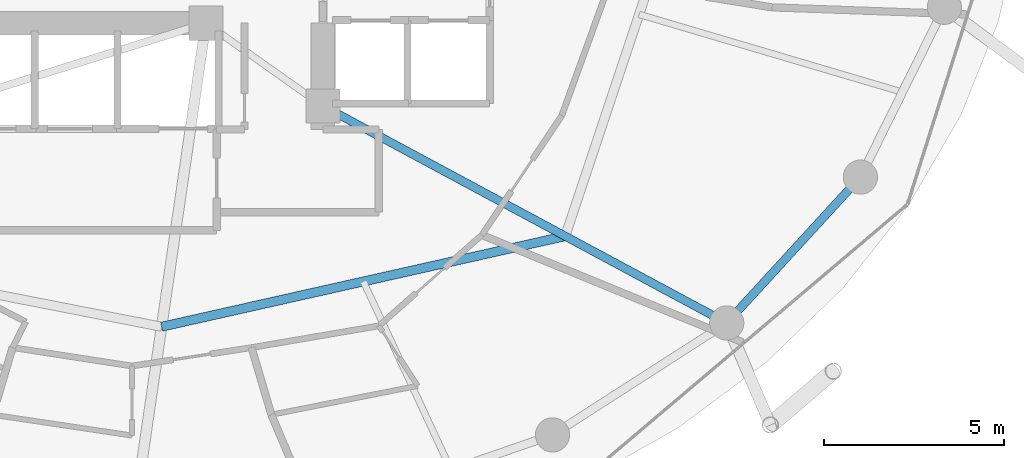
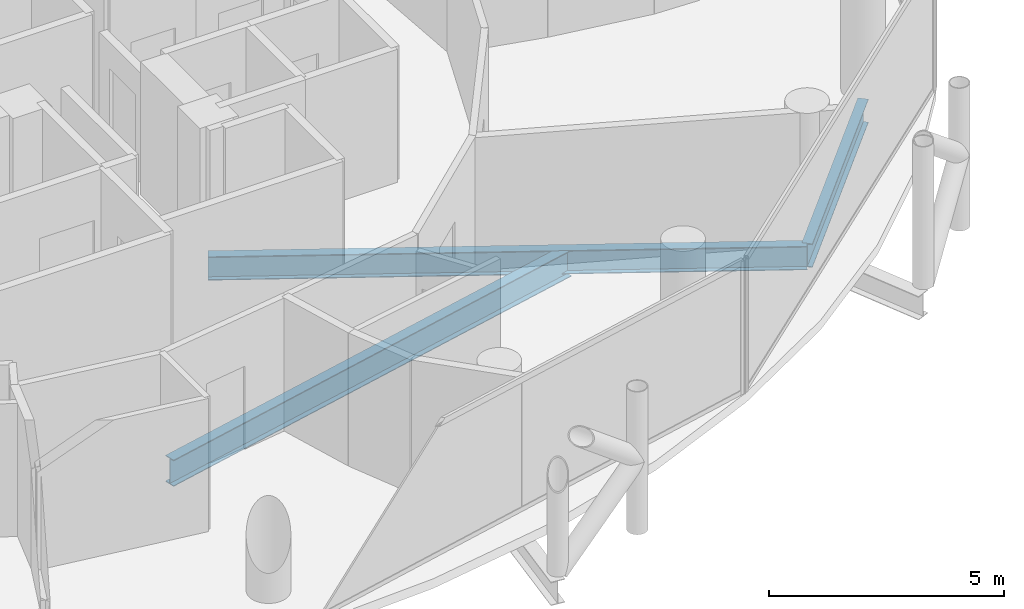
# One storey, part 9 of 26: 3 beams.
"""IFC4 building model written with IfcOpenShell, lengths in metres."""

from ifc_helpers import new_model, si_unit, direction, frame, origin, origin_2d, place, context, subcontext, project, spatial, i_section, extrude, material, material_profile, profile_set, type_object, element, save


model = new_model("IFC4")

# Units and contexts
model_context = context("Model", 3, precision=1e-05, world=origin(), true_north=direction((0.0, 1.0)))
body_context = subcontext(model_context, "Body", "Model", "MODEL_VIEW")
ifc_project = project(units=[si_unit("LENGTHUNIT", "METRE"), si_unit("AREAUNIT", "SQUARE_METRE"), si_unit("VOLUMEUNIT", "CUBIC_METRE"), si_unit("PLANEANGLEUNIT", "RADIAN"), si_unit("MASSUNIT", "GRAM", prefix="KILO")], contexts=[model_context])

# Site, building, storey
site_placement = place(None, origin())
site = spatial("IfcSite", under=ifc_project, at=site_placement, CompositionType="ELEMENT")
building_placement = place(site_placement, origin())
building = spatial("IfcBuilding", under=site, at=building_placement, Name="Nuhasar Tower", CompositionType="ELEMENT")
storey_placement = place(building_placement, frame((0.0, 0.0, 118.25)))
storey = spatial("IfcBuildingStorey", under=building, at=storey_placement, Name="L27", CompositionType="ELEMENT", Elevation=118.25)

# Beams
ifc_material = material(Name="Steel S355", Category="steel")
ifc_material_profile_1 = material_profile(ifc_material, i_section(OverallWidth=0.25390625, OverallDepth=0.68408203125, WebThickness=0.012451171875, FlangeThickness=0.018798828125, at=origin_2d()), Name="W27X94")
ifc_profile_set_1 = profile_set([ifc_material_profile_1], Name="Steel S355")
beam_type_1 = type_object("IfcBeamType", Name="BM-INRING-W27X94", PredefinedType="BEAM", material=ifc_profile_set_1)
beam_1_placement = place(storey_placement, frame((39.820068359375, 12.8701171875, -0.592041015625), z_axis=(0.975716159385, 0.219038755282, 0.0), x_axis=(-0.219038755282, 0.975716159385, 0.0)))
element("IfcBeam", 1, at=beam_1_placement, inside=storey, type_object=beam_type_1, Name="L27 Inner Header Beam 02", PredefinedType="BEAM", context=body_context, shape_type="SweptSolid", body=[
    extrude(i_section(OverallWidth=0.25390625, OverallDepth=0.68408203125, WebThickness=0.012451171875, FlangeThickness=0.018798828125, at=origin_2d()), origin(), (0.0, 0.0, 1.0), 11.48583984375),
])
ifc_material_profile_2 = material_profile(ifc_material, i_section(OverallWidth=0.22900390625, OverallDepth=0.612060546875, WebThickness=0.011962890625, FlangeThickness=0.01953125, at=origin_2d()), Name="W24X84")
ifc_profile_set_2 = profile_set([ifc_material_profile_2], Name="Steel S355")
beam_type_2 = type_object("IfcBeamType", Name="BM-RAD-W24X84", PredefinedType="BEAM", material=ifc_profile_set_2)
beam_2_placement = place(storey_placement, frame((44.300048828125, 19.0, -0.555908203125), z_axis=(0.880888386928, -0.473324043098, 0.0), x_axis=(0.473324043098, 0.880888386928, 0.0)))
element("IfcBeam", 2, at=beam_2_placement, inside=storey, type_object=beam_type_2, Name="L27 Radial Floor Girder 03", PredefinedType="BEAM", context=body_context, shape_type="SweptSolid", body=[
    extrude(i_section(OverallWidth=0.22900390625, OverallDepth=0.612060546875, WebThickness=0.011962890625, FlangeThickness=0.01953125, at=origin_2d()), origin(), (0.0, 0.0, 1.0), 12.726806640625),
])
ifc_material_profile_3 = material_profile(ifc_material, i_section(OverallWidth=0.22998046875, OverallDepth=0.616943359375, WebThickness=0.01318359375, FlangeThickness=0.022216796875, at=origin_2d()), Name="W24X94")
ifc_profile_set_3 = profile_set([ifc_material_profile_3], Name="Steel S355")
beam_type_3 = type_object("IfcBeamType", Name="BM-RING-W24X94", PredefinedType="SPANDREL", material=ifc_profile_set_3)
beam_3_placement = place(storey_placement, frame((55.510986328125, 12.97607421875, -0.55810546875), z_axis=(0.675676316545, 0.737198423262, 0.0), x_axis=(-0.737198423262, 0.675676316545, 0.0)))
element("IfcBeam", 3, at=beam_3_placement, inside=storey, type_object=beam_type_3, Name="L27 Perimeter Ring Spandrel 22", PredefinedType="SPANDREL", context=body_context, shape_type="SweptSolid", body=[
    extrude(i_section(OverallWidth=0.22998046875, OverallDepth=0.616943359375, WebThickness=0.01318359375, FlangeThickness=0.022216796875, at=origin_2d()), origin(), (0.0, 0.0, 1.0), 5.4921875),
])

save(model, "model.ifc")
